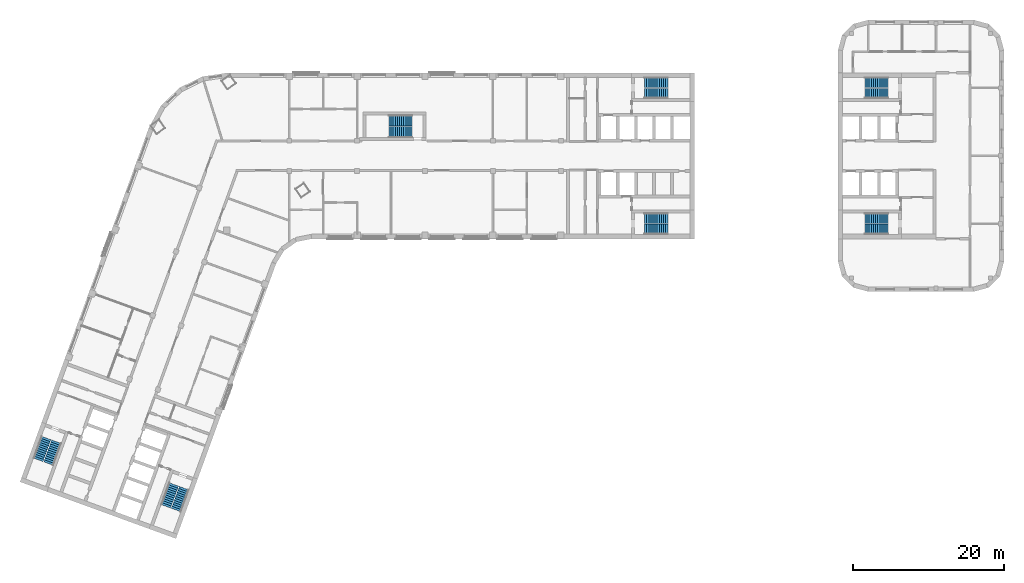
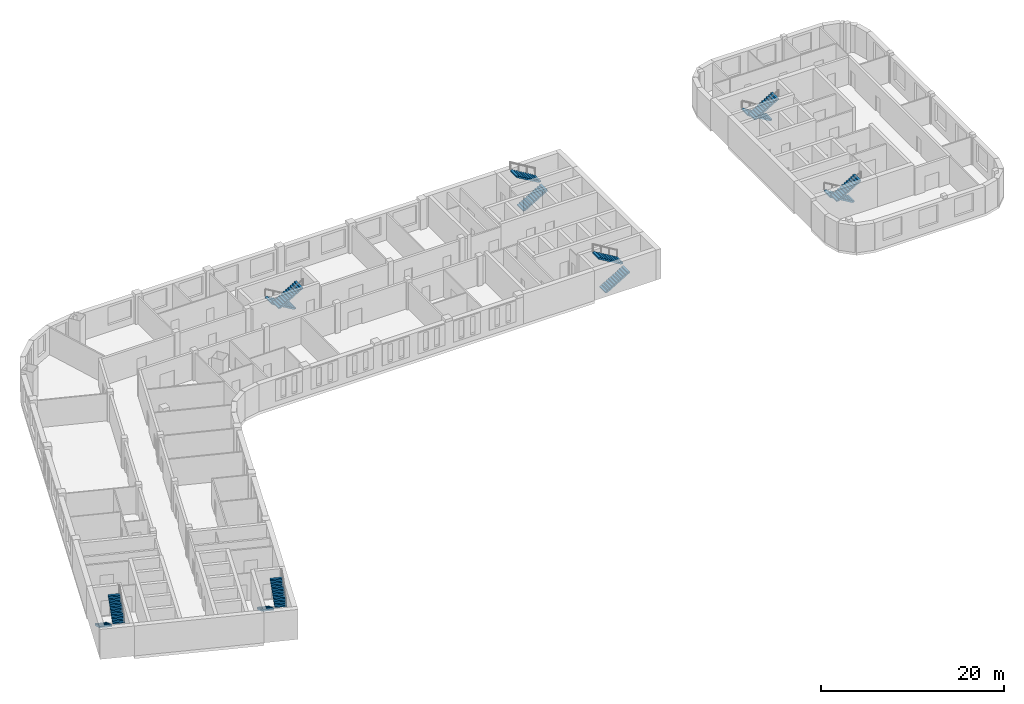
# One storey, part 9 of 10: 14 stair flights, 7 elements without a shape of their own.
"""IFC4 building model written with IfcOpenShell, lengths in metres."""

from ifc_helpers import new_model, si_unit, direction, frame, origin, place, context, subcontext, project, spatial, polyline, outline, extrude, material, type_object, element, aggregate, save


model = new_model("IFC4")

# Units and contexts
model_context = context("Model", 3, precision=1e-05, world=origin(), true_north=direction((0.0, 1.0)))
body_context = subcontext(model_context, "Body", "Model", "MODEL_VIEW")
ifc_project = project(units=[si_unit("LENGTHUNIT", "METRE"), si_unit("AREAUNIT", "SQUARE_METRE"), si_unit("VOLUMEUNIT", "CUBIC_METRE"), si_unit("PLANEANGLEUNIT", "RADIAN"), si_unit("MASSUNIT", "GRAM", prefix="KILO")], contexts=[model_context])

# Site, building, storey
site_placement = place(None, origin())
site = spatial("IfcSite", under=ifc_project, at=site_placement, CompositionType="ELEMENT")
building_placement = place(site_placement, origin())
building = spatial("IfcBuilding", under=site, at=building_placement, Name="Skarvind Civic Tower", CompositionType="ELEMENT")
storey_placement = place(building_placement, frame((0.0, 0.0, 97.0)))
storey = spatial("IfcBuildingStorey", under=building, at=storey_placement, Name="L22", CompositionType="ELEMENT", Elevation=97.0)

# Stair, stair flights
ifc_material = material(Name="Concrete C40/50", Category="concrete")
stair_type_1 = type_object("IfcStairType", Name="Exit stair 1450, half-turn, concrete", PredefinedType="HALF_TURN_STAIR", material=ifc_material)
stair_1_placement = place(storey_placement, origin())
stair_1 = element("IfcStair", 1, at=stair_1_placement, inside=storey, type_object=stair_type_1, Name="Exit stair CM", PredefinedType="HALF_TURN_STAIR")
stair_flight_type_1 = type_object("IfcStairFlightType", Name="Stair flight 1450, concrete", PredefinedType="STRAIGHT", material=ifc_material)
stair_flight_1_placement = place(storey_placement, frame((70.550048828125, 132.675048828125, 0.0), z_axis=(0.0, 0.0, 1.0), x_axis=(-1.0, 0.0, 0.0)))
stair_flight_1 = element("IfcStairFlight", 2, at=stair_flight_1_placement, type_object=stair_flight_type_1, Name="ST-CM flight 1", NumberOfRisers=12, NumberOfTreads=11, PredefinedType="STRAIGHT", RiserHeight=0.166666667, TreadLength=0.28, context=body_context, shape_type="SweptSolid", body=[
    extrude(outline(polyline([(0.0, 0.0), (0.0, 0.166748046875), (0.280029296875, 0.166748046875), (0.280029296875, 0.333251953125), (0.56005859375, 0.333251953125), (0.56005859375, 0.5), (0.840087890625, 0.5), (0.840087890625, 0.666748046875), (1.1201171875, 0.666748046875), (1.1201171875, 0.833251953125), (1.39990234375, 0.833251953125), (1.39990234375, 1.0), (1.679931640625, 1.0), (1.679931640625, 1.166748046875), (1.9599609375, 1.166748046875), (1.9599609375, 1.333251953125), (2.239990234375, 1.333251953125), (2.239990234375, 1.5), (2.52001953125, 1.5), (2.52001953125, 1.666748046875), (2.800048828125, 1.666748046875), (2.800048828125, 1.833251953125), (3.080078125, 1.833251953125), (3.080078125, 2.0), (3.080078125, 1.658935546875), (0.29296875, 0.0), (0.0, 0.0)])), frame((0.0, 0.72509765625, 0.0), z_axis=(0.0, -1.0, 0.0), x_axis=(1.0, 0.0, 0.0)), (0.0, 0.0, 1.0), 1.449951171875),
])
stair_flight_2_placement = place(storey_placement, frame((67.469970703125, 131.125, 2.0), z_axis=(0.0, 0.0, 1.0), x_axis=(1.0, 0.0, 0.0)))
stair_flight_2 = element("IfcStairFlight", 3, at=stair_flight_2_placement, type_object=stair_flight_type_1, Name="ST-CM flight 2", NumberOfRisers=12, NumberOfTreads=11, PredefinedType="STRAIGHT", RiserHeight=0.166666667, TreadLength=0.28, context=body_context, shape_type="SweptSolid", body=[
    extrude(outline(polyline([(0.0, 0.0), (0.0, 0.166748046875), (0.280029296875, 0.166748046875), (0.280029296875, 0.333251953125), (0.56005859375, 0.333251953125), (0.56005859375, 0.5), (0.840087890625, 0.5), (0.840087890625, 0.666748046875), (1.1201171875, 0.666748046875), (1.1201171875, 0.833251953125), (1.39990234375, 0.833251953125), (1.39990234375, 1.0), (1.679931640625, 1.0), (1.679931640625, 1.166748046875), (1.9599609375, 1.166748046875), (1.9599609375, 1.333251953125), (2.239990234375, 1.333251953125), (2.239990234375, 1.5), (2.52001953125, 1.5), (2.52001953125, 1.666748046875), (2.800048828125, 1.666748046875), (2.800048828125, 1.833251953125), (3.080078125, 1.833251953125), (3.080078125, 2.0), (3.080078125, 1.658935546875), (0.29296875, 0.0), (0.0, 0.0)])), frame((0.0, 0.72509765625, 0.0), z_axis=(0.0, -1.0, 0.0), x_axis=(1.0, 0.0, 0.0)), (0.0, 0.0, 1.0), 1.449951171875),
])
aggregate(stair_1, [stair_flight_1, stair_flight_2])

stair_type_2 = type_object("IfcStairType", Name="Exit stair, half-turn, concrete", PredefinedType="HALF_TURN_STAIR", material=ifc_material)
stair_2_placement = place(storey_placement, origin())
stair_2 = element("IfcStair", 4, at=stair_2_placement, inside=storey, type_object=stair_type_2, Name="Exit stair C1S", PredefinedType="HALF_TURN_STAIR")
stair_flight_type_2 = type_object("IfcStairFlightType", Name="Stair flight, concrete", PredefinedType="STRAIGHT", material=ifc_material)
stair_flight_3_placement = place(storey_placement, frame((101.35009765625, 136.27490234375, 0.0), z_axis=(0.0, 0.0, 1.0), x_axis=(1.0, 0.0, 0.0)))
stair_flight_3 = element("IfcStairFlight", 5, at=stair_flight_3_placement, type_object=stair_flight_type_2, Name="ST-C1S flight 1", NumberOfRisers=12, NumberOfTreads=11, PredefinedType="STRAIGHT", RiserHeight=0.166666667, TreadLength=0.28, context=body_context, shape_type="SweptSolid", body=[
    extrude(outline(polyline([(0.0, 0.0), (0.0, 0.166748046875), (0.280029296875, 0.166748046875), (0.280029296875, 0.333251953125), (0.56005859375, 0.333251953125), (0.56005859375, 0.5), (0.840087890625, 0.5), (0.840087890625, 0.666748046875), (1.1201171875, 0.666748046875), (1.1201171875, 0.833251953125), (1.39990234375, 0.833251953125), (1.39990234375, 1.0), (1.679931640625, 1.0), (1.679931640625, 1.166748046875), (1.9599609375, 1.166748046875), (1.9599609375, 1.333251953125), (2.239990234375, 1.333251953125), (2.239990234375, 1.5), (2.52001953125, 1.5), (2.52001953125, 1.666748046875), (2.800048828125, 1.666748046875), (2.800048828125, 1.833251953125), (3.080078125, 1.833251953125), (3.080078125, 2.0), (3.080078125, 1.658935546875), (0.29296875, 0.0), (0.0, 0.0)])), frame((0.0, 0.675048828125, 0.0), z_axis=(0.0, -1.0, 0.0), x_axis=(1.0, 0.0, 0.0)), (0.0, 0.0, 1.0), 1.35009765625),
])
stair_flight_4_placement = place(storey_placement, frame((104.429931640625, 137.72509765625, 2.0), z_axis=(0.0, 0.0, 1.0), x_axis=(-1.0, 0.0, 0.0)))
stair_flight_4 = element("IfcStairFlight", 6, at=stair_flight_4_placement, type_object=stair_flight_type_2, Name="ST-C1S flight 2", NumberOfRisers=12, NumberOfTreads=11, PredefinedType="STRAIGHT", RiserHeight=0.166666667, TreadLength=0.28, context=body_context, shape_type="SweptSolid", body=[
    extrude(outline(polyline([(0.0, 0.0), (0.0, 0.166748046875), (0.280029296875, 0.166748046875), (0.280029296875, 0.333251953125), (0.56005859375, 0.333251953125), (0.56005859375, 0.5), (0.840087890625, 0.5), (0.840087890625, 0.666748046875), (1.1201171875, 0.666748046875), (1.1201171875, 0.833251953125), (1.39990234375, 0.833251953125), (1.39990234375, 1.0), (1.679931640625, 1.0), (1.679931640625, 1.166748046875), (1.9599609375, 1.166748046875), (1.9599609375, 1.333251953125), (2.239990234375, 1.333251953125), (2.239990234375, 1.5), (2.52001953125, 1.5), (2.52001953125, 1.666748046875), (2.800048828125, 1.666748046875), (2.800048828125, 1.833251953125), (3.080078125, 1.833251953125), (3.080078125, 2.0), (3.080078125, 1.658935546875), (0.29296875, 0.0), (0.0, 0.0)])), frame((0.0, 0.675048828125, 0.0), z_axis=(0.0, -1.0, 0.0), x_axis=(1.0, 0.0, 0.0)), (0.0, 0.0, 1.0), 1.35009765625),
])
aggregate(stair_2, [stair_flight_3, stair_flight_4])

stair_3_placement = place(storey_placement, origin())
stair_3 = element("IfcStair", 7, at=stair_3_placement, inside=storey, type_object=stair_type_2, Name="Exit stair C1N", PredefinedType="HALF_TURN_STAIR")
stair_flight_5_placement = place(storey_placement, frame((101.35009765625, 118.27490234375, 0.0), z_axis=(0.0, 0.0, 1.0), x_axis=(1.0, 0.0, 0.0)))
stair_flight_5 = element("IfcStairFlight", 8, at=stair_flight_5_placement, type_object=stair_flight_type_2, Name="ST-C1N flight 1", NumberOfRisers=12, NumberOfTreads=11, PredefinedType="STRAIGHT", RiserHeight=0.166666667, TreadLength=0.28, context=body_context, shape_type="SweptSolid", body=[
    extrude(outline(polyline([(0.0, 0.0), (0.0, 0.166748046875), (0.280029296875, 0.166748046875), (0.280029296875, 0.333251953125), (0.56005859375, 0.333251953125), (0.56005859375, 0.5), (0.840087890625, 0.5), (0.840087890625, 0.666748046875), (1.1201171875, 0.666748046875), (1.1201171875, 0.833251953125), (1.39990234375, 0.833251953125), (1.39990234375, 1.0), (1.679931640625, 1.0), (1.679931640625, 1.166748046875), (1.9599609375, 1.166748046875), (1.9599609375, 1.333251953125), (2.239990234375, 1.333251953125), (2.239990234375, 1.5), (2.52001953125, 1.5), (2.52001953125, 1.666748046875), (2.800048828125, 1.666748046875), (2.800048828125, 1.833251953125), (3.080078125, 1.833251953125), (3.080078125, 2.0), (3.080078125, 1.658935546875), (0.29296875, 0.0), (0.0, 0.0)])), frame((0.0, 0.675048828125, 0.0), z_axis=(0.0, -1.0, 0.0), x_axis=(1.0, 0.0, 0.0)), (0.0, 0.0, 1.0), 1.35009765625),
])
stair_flight_6_placement = place(storey_placement, frame((104.429931640625, 119.72509765625, 2.0), z_axis=(0.0, 0.0, 1.0), x_axis=(-1.0, 0.0, 0.0)))
stair_flight_6 = element("IfcStairFlight", 9, at=stair_flight_6_placement, type_object=stair_flight_type_2, Name="ST-C1N flight 2", NumberOfRisers=12, NumberOfTreads=11, PredefinedType="STRAIGHT", RiserHeight=0.166666667, TreadLength=0.28, context=body_context, shape_type="SweptSolid", body=[
    extrude(outline(polyline([(0.0, 0.0), (0.0, 0.166748046875), (0.280029296875, 0.166748046875), (0.280029296875, 0.333251953125), (0.56005859375, 0.333251953125), (0.56005859375, 0.5), (0.840087890625, 0.5), (0.840087890625, 0.666748046875), (1.1201171875, 0.666748046875), (1.1201171875, 0.833251953125), (1.39990234375, 0.833251953125), (1.39990234375, 1.0), (1.679931640625, 1.0), (1.679931640625, 1.166748046875), (1.9599609375, 1.166748046875), (1.9599609375, 1.333251953125), (2.239990234375, 1.333251953125), (2.239990234375, 1.5), (2.52001953125, 1.5), (2.52001953125, 1.666748046875), (2.800048828125, 1.666748046875), (2.800048828125, 1.833251953125), (3.080078125, 1.833251953125), (3.080078125, 2.0), (3.080078125, 1.658935546875), (0.29296875, 0.0), (0.0, 0.0)])), frame((0.0, 0.675048828125, 0.0), z_axis=(0.0, -1.0, 0.0), x_axis=(1.0, 0.0, 0.0)), (0.0, 0.0, 1.0), 1.35009765625),
])
aggregate(stair_3, [stair_flight_5, stair_flight_6])

stair_4_placement = place(storey_placement, origin())
stair_4 = element("IfcStair", 10, at=stair_4_placement, inside=storey, type_object=stair_type_2, Name="Exit stair C2S", PredefinedType="HALF_TURN_STAIR")
stair_flight_7_placement = place(storey_placement, frame((38.949462890625, 84.43408203125, 0.0), z_axis=(0.0, 0.0, 1.0), x_axis=(-0.342020143326, -0.939692620786, 0.0)))
stair_flight_7 = element("IfcStairFlight", 11, at=stair_flight_7_placement, type_object=stair_flight_type_2, Name="ST-C2S flight 1", NumberOfRisers=12, NumberOfTreads=11, PredefinedType="STRAIGHT", RiserHeight=0.166666667, TreadLength=0.28, context=body_context, shape_type="SweptSolid", body=[
    extrude(outline(polyline([(0.0, 0.0), (0.0, 0.166748046875), (0.280029296875, 0.166748046875), (0.280029296875, 0.333251953125), (0.56005859375, 0.333251953125), (0.56005859375, 0.5), (0.840087890625, 0.5), (0.840087890625, 0.666748046875), (1.1201171875, 0.666748046875), (1.1201171875, 0.833251953125), (1.39990234375, 0.833251953125), (1.39990234375, 1.0), (1.679931640625, 1.0), (1.679931640625, 1.166748046875), (1.9599609375, 1.166748046875), (1.9599609375, 1.333251953125), (2.239990234375, 1.333251953125), (2.239990234375, 1.5), (2.52001953125, 1.5), (2.52001953125, 1.666748046875), (2.800048828125, 1.666748046875), (2.800048828125, 1.833251953125), (3.080078125, 1.833251953125), (3.080078125, 2.0), (3.080078125, 1.658935546875), (0.29296875, 0.0), (0.0, 0.0)])), frame((0.0, 0.675048828125, 0.0), z_axis=(0.0, -1.0, 0.0), x_axis=(1.0, 0.0, 0.0)), (0.0, 0.0, 1.0), 1.35009765625),
])
stair_flight_8_placement = place(storey_placement, frame((39.258544921875, 81.0439453125, 2.0), z_axis=(0.0, 0.0, 1.0), x_axis=(0.342020143326, 0.939692620786, 0.0)))
stair_flight_8 = element("IfcStairFlight", 12, at=stair_flight_8_placement, type_object=stair_flight_type_2, Name="ST-C2S flight 2", NumberOfRisers=12, NumberOfTreads=11, PredefinedType="STRAIGHT", RiserHeight=0.166666667, TreadLength=0.28, context=body_context, shape_type="SweptSolid", body=[
    extrude(outline(polyline([(0.0, 0.0), (0.0, 0.166748046875), (0.280029296875, 0.166748046875), (0.280029296875, 0.333251953125), (0.56005859375, 0.333251953125), (0.56005859375, 0.5), (0.840087890625, 0.5), (0.840087890625, 0.666748046875), (1.1201171875, 0.666748046875), (1.1201171875, 0.833251953125), (1.39990234375, 0.833251953125), (1.39990234375, 1.0), (1.679931640625, 1.0), (1.679931640625, 1.166748046875), (1.9599609375, 1.166748046875), (1.9599609375, 1.333251953125), (2.239990234375, 1.333251953125), (2.239990234375, 1.5), (2.52001953125, 1.5), (2.52001953125, 1.666748046875), (2.800048828125, 1.666748046875), (2.800048828125, 1.833251953125), (3.080078125, 1.833251953125), (3.080078125, 2.0), (3.080078125, 1.658935546875), (0.29296875, 0.0), (0.0, 0.0)])), frame((0.0, 0.675048828125, 0.0), z_axis=(0.0, -1.0, 0.0), x_axis=(1.0, 0.0, 0.0)), (0.0, 0.0, 1.0), 1.35009765625),
])
aggregate(stair_4, [stair_flight_7, stair_flight_8])

stair_5_placement = place(storey_placement, origin())
stair_5 = element("IfcStair", 13, at=stair_5_placement, inside=storey, type_object=stair_type_2, Name="Exit stair C2N", PredefinedType="HALF_TURN_STAIR")
stair_flight_9_placement = place(storey_placement, frame((22.034912109375, 90.590576171875, 0.0), z_axis=(0.0, 0.0, 1.0), x_axis=(-0.342020143326, -0.939692620786, 0.0)))
stair_flight_9 = element("IfcStairFlight", 14, at=stair_flight_9_placement, type_object=stair_flight_type_2, Name="ST-C2N flight 1", NumberOfRisers=12, NumberOfTreads=11, PredefinedType="STRAIGHT", RiserHeight=0.166666667, TreadLength=0.28, context=body_context, shape_type="SweptSolid", body=[
    extrude(outline(polyline([(0.0, 0.0), (0.0, 0.166748046875), (0.280029296875, 0.166748046875), (0.280029296875, 0.333251953125), (0.56005859375, 0.333251953125), (0.56005859375, 0.5), (0.840087890625, 0.5), (0.840087890625, 0.666748046875), (1.1201171875, 0.666748046875), (1.1201171875, 0.833251953125), (1.39990234375, 0.833251953125), (1.39990234375, 1.0), (1.679931640625, 1.0), (1.679931640625, 1.166748046875), (1.9599609375, 1.166748046875), (1.9599609375, 1.333251953125), (2.239990234375, 1.333251953125), (2.239990234375, 1.5), (2.52001953125, 1.5), (2.52001953125, 1.666748046875), (2.800048828125, 1.666748046875), (2.800048828125, 1.833251953125), (3.080078125, 1.833251953125), (3.080078125, 2.0), (3.080078125, 1.658935546875), (0.29296875, 0.0), (0.0, 0.0)])), frame((0.0, 0.675048828125, 0.0), z_axis=(0.0, -1.0, 0.0), x_axis=(1.0, 0.0, 0.0)), (0.0, 0.0, 1.0), 1.35009765625),
])
stair_flight_10_placement = place(storey_placement, frame((22.343994140625, 87.2001953125, 2.0), z_axis=(0.0, 0.0, 1.0), x_axis=(0.342020143326, 0.939692620786, 0.0)))
stair_flight_10 = element("IfcStairFlight", 15, at=stair_flight_10_placement, type_object=stair_flight_type_2, Name="ST-C2N flight 2", NumberOfRisers=12, NumberOfTreads=11, PredefinedType="STRAIGHT", RiserHeight=0.166666667, TreadLength=0.28, context=body_context, shape_type="SweptSolid", body=[
    extrude(outline(polyline([(0.0, 0.0), (0.0, 0.166748046875), (0.280029296875, 0.166748046875), (0.280029296875, 0.333251953125), (0.56005859375, 0.333251953125), (0.56005859375, 0.5), (0.840087890625, 0.5), (0.840087890625, 0.666748046875), (1.1201171875, 0.666748046875), (1.1201171875, 0.833251953125), (1.39990234375, 0.833251953125), (1.39990234375, 1.0), (1.679931640625, 1.0), (1.679931640625, 1.166748046875), (1.9599609375, 1.166748046875), (1.9599609375, 1.333251953125), (2.239990234375, 1.333251953125), (2.239990234375, 1.5), (2.52001953125, 1.5), (2.52001953125, 1.666748046875), (2.800048828125, 1.666748046875), (2.800048828125, 1.833251953125), (3.080078125, 1.833251953125), (3.080078125, 2.0), (3.080078125, 1.658935546875), (0.29296875, 0.0), (0.0, 0.0)])), frame((0.0, 0.675048828125, 0.0), z_axis=(0.0, -1.0, 0.0), x_axis=(1.0, 0.0, 0.0)), (0.0, 0.0, 1.0), 1.35009765625),
])
aggregate(stair_5, [stair_flight_9, stair_flight_10])

stair_6_placement = place(storey_placement, origin())
stair_6 = element("IfcStair", 16, at=stair_6_placement, inside=storey, type_object=stair_type_2, Name="Exit stair CAS", PredefinedType="HALF_TURN_STAIR")
stair_flight_11_placement = place(storey_placement, frame((133.64990234375, 119.72509765625, 0.0), z_axis=(0.0, 0.0, 1.0), x_axis=(-1.0, 0.0, 0.0)))
stair_flight_11 = element("IfcStairFlight", 17, at=stair_flight_11_placement, type_object=stair_flight_type_2, Name="ST-CAS flight 1", NumberOfRisers=12, NumberOfTreads=11, PredefinedType="STRAIGHT", RiserHeight=0.166666667, TreadLength=0.28, context=body_context, shape_type="SweptSolid", body=[
    extrude(outline(polyline([(0.0, 0.0), (0.0, 0.166748046875), (0.280029296875, 0.166748046875), (0.280029296875, 0.333251953125), (0.56005859375, 0.333251953125), (0.56005859375, 0.5), (0.840087890625, 0.5), (0.840087890625, 0.666748046875), (1.1201171875, 0.666748046875), (1.1201171875, 0.833251953125), (1.39990234375, 0.833251953125), (1.39990234375, 1.0), (1.679931640625, 1.0), (1.679931640625, 1.166748046875), (1.9599609375, 1.166748046875), (1.9599609375, 1.333251953125), (2.239990234375, 1.333251953125), (2.239990234375, 1.5), (2.52001953125, 1.5), (2.52001953125, 1.666748046875), (2.800048828125, 1.666748046875), (2.800048828125, 1.833251953125), (3.080078125, 1.833251953125), (3.080078125, 2.0), (3.080078125, 1.658935546875), (0.29296875, 0.0), (0.0, 0.0)])), frame((0.0, 0.675048828125, 0.0), z_axis=(0.0, -1.0, 0.0), x_axis=(1.0, 0.0, 0.0)), (0.0, 0.0, 1.0), 1.35009765625),
])
stair_flight_12_placement = place(storey_placement, frame((130.570068359375, 118.27490234375, 2.0), z_axis=(0.0, 0.0, 1.0), x_axis=(1.0, 0.0, 0.0)))
stair_flight_12 = element("IfcStairFlight", 18, at=stair_flight_12_placement, type_object=stair_flight_type_2, Name="ST-CAS flight 2", NumberOfRisers=12, NumberOfTreads=11, PredefinedType="STRAIGHT", RiserHeight=0.166666667, TreadLength=0.28, context=body_context, shape_type="SweptSolid", body=[
    extrude(outline(polyline([(0.0, 0.0), (0.0, 0.166748046875), (0.280029296875, 0.166748046875), (0.280029296875, 0.333251953125), (0.56005859375, 0.333251953125), (0.56005859375, 0.5), (0.840087890625, 0.5), (0.840087890625, 0.666748046875), (1.1201171875, 0.666748046875), (1.1201171875, 0.833251953125), (1.39990234375, 0.833251953125), (1.39990234375, 1.0), (1.679931640625, 1.0), (1.679931640625, 1.166748046875), (1.9599609375, 1.166748046875), (1.9599609375, 1.333251953125), (2.239990234375, 1.333251953125), (2.239990234375, 1.5), (2.52001953125, 1.5), (2.52001953125, 1.666748046875), (2.800048828125, 1.666748046875), (2.800048828125, 1.833251953125), (3.080078125, 1.833251953125), (3.080078125, 2.0), (3.080078125, 1.658935546875), (0.29296875, 0.0), (0.0, 0.0)])), frame((0.0, 0.675048828125, 0.0), z_axis=(0.0, -1.0, 0.0), x_axis=(1.0, 0.0, 0.0)), (0.0, 0.0, 1.0), 1.35009765625),
])
aggregate(stair_6, [stair_flight_11, stair_flight_12])

stair_7_placement = place(storey_placement, origin())
stair_7 = element("IfcStair", 19, at=stair_7_placement, inside=storey, type_object=stair_type_2, Name="Exit stair CAN", PredefinedType="HALF_TURN_STAIR")
stair_flight_13_placement = place(storey_placement, frame((133.64990234375, 137.72509765625, 0.0), z_axis=(0.0, 0.0, 1.0), x_axis=(-1.0, 0.0, 0.0)))
stair_flight_13 = element("IfcStairFlight", 20, at=stair_flight_13_placement, type_object=stair_flight_type_2, Name="ST-CAN flight 1", NumberOfRisers=12, NumberOfTreads=11, PredefinedType="STRAIGHT", RiserHeight=0.166666667, TreadLength=0.28, context=body_context, shape_type="SweptSolid", body=[
    extrude(outline(polyline([(0.0, 0.0), (0.0, 0.166748046875), (0.280029296875, 0.166748046875), (0.280029296875, 0.333251953125), (0.56005859375, 0.333251953125), (0.56005859375, 0.5), (0.840087890625, 0.5), (0.840087890625, 0.666748046875), (1.1201171875, 0.666748046875), (1.1201171875, 0.833251953125), (1.39990234375, 0.833251953125), (1.39990234375, 1.0), (1.679931640625, 1.0), (1.679931640625, 1.166748046875), (1.9599609375, 1.166748046875), (1.9599609375, 1.333251953125), (2.239990234375, 1.333251953125), (2.239990234375, 1.5), (2.52001953125, 1.5), (2.52001953125, 1.666748046875), (2.800048828125, 1.666748046875), (2.800048828125, 1.833251953125), (3.080078125, 1.833251953125), (3.080078125, 2.0), (3.080078125, 1.658935546875), (0.29296875, 0.0), (0.0, 0.0)])), frame((0.0, 0.675048828125, 0.0), z_axis=(0.0, -1.0, 0.0), x_axis=(1.0, 0.0, 0.0)), (0.0, 0.0, 1.0), 1.35009765625),
])
stair_flight_14_placement = place(storey_placement, frame((130.570068359375, 136.27490234375, 2.0), z_axis=(0.0, 0.0, 1.0), x_axis=(1.0, 0.0, 0.0)))
stair_flight_14 = element("IfcStairFlight", 21, at=stair_flight_14_placement, type_object=stair_flight_type_2, Name="ST-CAN flight 2", NumberOfRisers=12, NumberOfTreads=11, PredefinedType="STRAIGHT", RiserHeight=0.166666667, TreadLength=0.28, context=body_context, shape_type="SweptSolid", body=[
    extrude(outline(polyline([(0.0, 0.0), (0.0, 0.166748046875), (0.280029296875, 0.166748046875), (0.280029296875, 0.333251953125), (0.56005859375, 0.333251953125), (0.56005859375, 0.5), (0.840087890625, 0.5), (0.840087890625, 0.666748046875), (1.1201171875, 0.666748046875), (1.1201171875, 0.833251953125), (1.39990234375, 0.833251953125), (1.39990234375, 1.0), (1.679931640625, 1.0), (1.679931640625, 1.166748046875), (1.9599609375, 1.166748046875), (1.9599609375, 1.333251953125), (2.239990234375, 1.333251953125), (2.239990234375, 1.5), (2.52001953125, 1.5), (2.52001953125, 1.666748046875), (2.800048828125, 1.666748046875), (2.800048828125, 1.833251953125), (3.080078125, 1.833251953125), (3.080078125, 2.0), (3.080078125, 1.658935546875), (0.29296875, 0.0), (0.0, 0.0)])), frame((0.0, 0.675048828125, 0.0), z_axis=(0.0, -1.0, 0.0), x_axis=(1.0, 0.0, 0.0)), (0.0, 0.0, 1.0), 1.35009765625),
])
aggregate(stair_7, [stair_flight_13, stair_flight_14])

save(model, "model.ifc")
